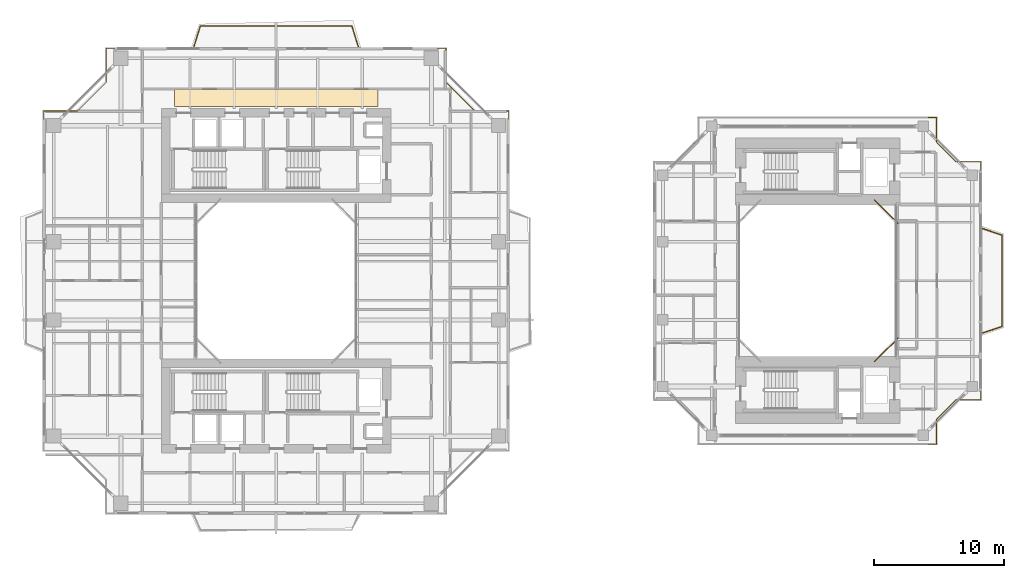
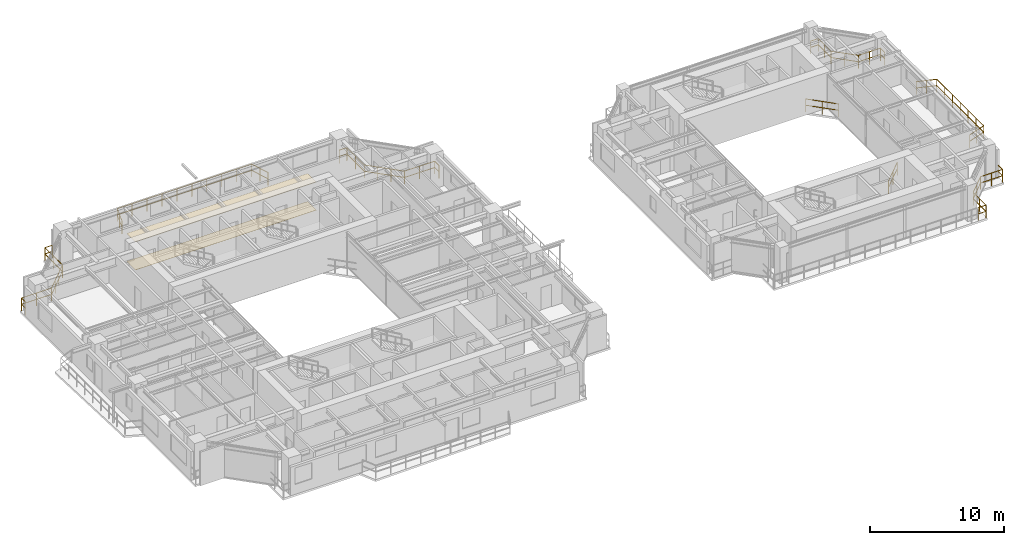
# One storey, part 24 of 24: 8 railings, 2 coverings.
"""IFC4 building model written with IfcOpenShell, lengths in metres."""

from ifc_helpers import new_model, si_unit, direction, frame, origin, origin_2d, place, context, subcontext, project, spatial, polyline, rectangle, outline, extrude, material, layer, layer_set, type_object, element, save


model = new_model("IFC4")

# Units and contexts
model_context = context("Model", 3, precision=1e-05, world=origin(), true_north=direction((0.0, 1.0)))
body_context = subcontext(model_context, "Body", "Model", "MODEL_VIEW")
ifc_project = project(units=[si_unit("LENGTHUNIT", "METRE"), si_unit("AREAUNIT", "SQUARE_METRE"), si_unit("VOLUMEUNIT", "CUBIC_METRE"), si_unit("PLANEANGLEUNIT", "RADIAN"), si_unit("MASSUNIT", "GRAM", prefix="KILO"), si_unit("THERMODYNAMICTEMPERATUREUNIT", "KELVIN"), si_unit("POWERUNIT", "WATT")], contexts=[model_context])

# Site, building, storey
site_placement = place(None, origin())
site = spatial("IfcSite", under=ifc_project, at=site_placement, CompositionType="ELEMENT")
building_placement = place(site_placement, origin())
building = spatial("IfcBuilding", under=site, at=building_placement, Name="Qiaomeng Ring Towers", CompositionType="ELEMENT")
storey_placement = place(building_placement, frame((0.0, 0.0, 106.75)))
storey = spatial("IfcBuildingStorey", under=building, at=storey_placement, Name="L30", CompositionType="ELEMENT", Elevation=106.75)

# Coverings
ifc_material_1 = material(Name="Mineral fibre acoustic ceiling tile", Category="gypsum")
ifc_layer_1 = layer(ifc_material_1, 0.02490234375, Name="Mineral fibre acoustic ceiling tile")
ifc_layer_set_1 = layer_set([ifc_layer_1], Name="Mineral fibre acoustic ceiling tile")
covering_type_1 = type_object("IfcCoveringType", Name="ARC-COV-CEIL1", PredefinedType="CEILING", material=ifc_layer_set_1)
covering_1_placement = place(storey_placement, frame((0.0, 0.0, 2.550048828125)))
element("IfcCovering", 1, at=covering_1_placement, inside=storey, type_object=covering_type_1, Name="L30 Corridor Acoustic Ceiling", PredefinedType="CEILING", context=body_context, shape_type="SweptSolid", body=[
    extrude(outline(polyline([(11.199951171875, 36.35009765625), (11.199951171875, 37.64990234375), (26.800048828125, 37.64990234375), (26.800048828125, 36.35009765625), (11.199951171875, 36.35009765625)])), origin(), (0.0, 0.0, 1.0), 0.02490234375),
])
ifc_material_2 = material(Name="Vitrified porcelain floor tile", Category="ceramic")
ifc_layer_2 = layer(ifc_material_2, 0.02001953125, Name="Vitrified porcelain floor tile")
ifc_layer_set_2 = layer_set([ifc_layer_2], Name="Vitrified porcelain floor tile")
covering_type_2 = type_object("IfcCoveringType", Name="ARC-COV-FLR1", PredefinedType="FLOORING", material=ifc_layer_set_2)
covering_2_placement = place(storey_placement, origin())
element("IfcCovering", 2, at=covering_2_placement, inside=storey, type_object=covering_type_2, Name="L30 Corridor Stone Flooring", PredefinedType="FLOORING", context=body_context, shape_type="SweptSolid", body=[
    extrude(outline(polyline([(11.199951171875, 36.35009765625), (11.199951171875, 37.64990234375), (26.800048828125, 37.64990234375), (26.800048828125, 36.35009765625), (11.199951171875, 36.35009765625)])), origin(), (0.0, 0.0, 1.0), 0.02001953125),
])

# Railings
ifc_material_3 = material(Name="Low-E pale-green laminated safety glass", Category="glass")
railing_type = type_object("IfcRailingType", Name="ARC-RL-BAL1", PredefinedType="BALUSTRADE", material=ifc_material_3)
railing_1_placement = place(storey_placement, frame((36.820068359375, 35.3701171875, 0.0)))
element("IfcRailing", 3, at=railing_1_placement, inside=storey, type_object=railing_type, Name="L30 Balustrade ARC-BAL-NOTCH1-L30-NE", PredefinedType="BALUSTRADE", context=body_context, shape_type="SweptSolid", body=[
    extrude(rectangle(XDim=0.048095703125, YDim=0.048095703125, at=origin_2d()), frame((0.0, 0.0, 1.17578125), z_axis=(0.0, 1.0, 0.0), x_axis=(-1.0, 0.0, 0.0)), (0.0, 0.0, 1.0), 0.64990234375),
    extrude(rectangle(XDim=0.048095703125, YDim=0.048095703125, at=origin_2d()), frame((0.0, 0.0, 0.60009765625), z_axis=(0.0, 1.0, 0.0), x_axis=(-1.0, 0.0, 0.0)), (0.0, 0.0, 1.0), 0.64990234375),
    extrude(rectangle(XDim=0.048095703125, YDim=0.048095703125, at=origin_2d()), frame((0.0, 0.64990234375, 1.17578125), z_axis=(-1.0, 0.0, 0.0), x_axis=(0.0, -1.0, 0.0)), (0.0, 0.0, 1.0), 2.60009765625),
    extrude(rectangle(XDim=0.048095703125, YDim=0.048095703125, at=origin_2d()), frame((0.0, 0.64990234375, 0.60009765625), z_axis=(-1.0, 0.0, 0.0), x_axis=(0.0, -1.0, 0.0)), (0.0, 0.0, 1.0), 2.60009765625),
    extrude(rectangle(XDim=0.048095703125, YDim=0.048095703125, at=origin_2d()), frame((-2.60009765625, 0.64990234375, 1.17578125), z_axis=(-0.707106781187, 0.707106781187, 0.0), x_axis=(-0.707106781187, -0.707106781187, 0.0)), (0.0, 0.0, 1.0), 3.111083984375),
    extrude(rectangle(XDim=0.048095703125, YDim=0.048095703125, at=origin_2d()), frame((-2.60009765625, 0.64990234375, 0.60009765625), z_axis=(-0.707106781187, 0.707106781187, 0.0), x_axis=(-0.707106781187, -0.707106781187, 0.0)), (0.0, 0.0, 1.0), 3.111083984375),
    extrude(rectangle(XDim=0.048095703125, YDim=0.048095703125, at=origin_2d()), frame((-4.800048828125, 2.849853515625, 1.17578125), z_axis=(0.0, 1.0, 0.0), x_axis=(-1.0, 0.0, 0.0)), (0.0, 0.0, 1.0), 2.60009765625),
    extrude(rectangle(XDim=0.048095703125, YDim=0.048095703125, at=origin_2d()), frame((-4.800048828125, 2.849853515625, 0.60009765625), z_axis=(0.0, 1.0, 0.0), x_axis=(-1.0, 0.0, 0.0)), (0.0, 0.0, 1.0), 2.60009765625),
    extrude(rectangle(XDim=0.048095703125, YDim=0.048095703125, at=origin_2d()), frame((-4.800048828125, 5.449951171875, 1.17578125), z_axis=(-1.0, 0.0, 0.0), x_axis=(0.0, -1.0, 0.0)), (0.0, 0.0, 1.0), 0.64990234375),
    extrude(rectangle(XDim=0.048095703125, YDim=0.048095703125, at=origin_2d()), frame((-4.800048828125, 5.449951171875, 0.60009765625), z_axis=(-1.0, 0.0, 0.0), x_axis=(0.0, -1.0, 0.0)), (0.0, 0.0, 1.0), 0.64990234375),
    extrude(rectangle(XDim=0.0419921875, YDim=0.0419921875, at=origin_2d()), origin(), (0.0, 0.0, 1.0), 1.15185546875),
    extrude(rectangle(XDim=0.0419921875, YDim=0.0419921875, at=origin_2d()), frame((0.0, 0.64990234375, 0.0)), (0.0, 0.0, 1.0), 1.15185546875),
    extrude(rectangle(XDim=0.0419921875, YDim=0.0419921875, at=origin_2d()), frame((-1.300048828125, 0.64990234375, 0.0)), (0.0, 0.0, 1.0), 1.15185546875),
    extrude(rectangle(XDim=0.0419921875, YDim=0.0419921875, at=origin_2d()), frame((-2.60009765625, 0.64990234375, 0.0)), (0.0, 0.0, 1.0), 1.15185546875),
    extrude(rectangle(XDim=0.0419921875, YDim=0.0419921875, at=origin_2d()), frame((-3.33349609375, 1.38330078125, 0.0)), (0.0, 0.0, 1.0), 1.15185546875),
    extrude(rectangle(XDim=0.0419921875, YDim=0.0419921875, at=origin_2d()), frame((-4.066650390625, 2.116455078125, 0.0)), (0.0, 0.0, 1.0), 1.15185546875),
    extrude(rectangle(XDim=0.0419921875, YDim=0.0419921875, at=origin_2d()), frame((-4.800048828125, 2.849853515625, 0.0)), (0.0, 0.0, 1.0), 1.15185546875),
    extrude(rectangle(XDim=0.0419921875, YDim=0.0419921875, at=origin_2d()), frame((-4.800048828125, 4.14990234375, 0.0)), (0.0, 0.0, 1.0), 1.15185546875),
    extrude(rectangle(XDim=0.0419921875, YDim=0.0419921875, at=origin_2d()), frame((-4.800048828125, 5.449951171875, 0.0)), (0.0, 0.0, 1.0), 1.15185546875),
    extrude(rectangle(XDim=0.0419921875, YDim=0.0419921875, at=origin_2d()), frame((-5.449951171875, 5.449951171875, 0.0)), (0.0, 0.0, 1.0), 1.15185546875),
])
railing_2_placement = place(storey_placement, frame((6.6298828125, 40.820068359375, 0.0)))
element("IfcRailing", 4, at=railing_2_placement, inside=storey, type_object=railing_type, Name="L30 Balustrade ARC-BAL-NOTCH1-L30-NW", PredefinedType="BALUSTRADE", context=body_context, shape_type="SweptSolid", body=[
    extrude(rectangle(XDim=0.048095703125, YDim=0.048095703125, at=origin_2d()), frame((0.0, 0.0, 1.17578125), z_axis=(-1.0, 0.0, 0.0), x_axis=(0.0, -1.0, 0.0)), (0.0, 0.0, 1.0), 0.64990234375),
    extrude(rectangle(XDim=0.048095703125, YDim=0.048095703125, at=origin_2d()), frame((0.0, 0.0, 0.60009765625), z_axis=(-1.0, 0.0, 0.0), x_axis=(0.0, -1.0, 0.0)), (0.0, 0.0, 1.0), 0.64990234375),
    extrude(rectangle(XDim=0.048095703125, YDim=0.048095703125, at=origin_2d()), frame((-0.64990234375, 0.0, 1.17578125), z_axis=(0.0, -1.0, 0.0), x_axis=(1.0, 0.0, 0.0)), (0.0, 0.0, 1.0), 2.60009765625),
    extrude(rectangle(XDim=0.048095703125, YDim=0.048095703125, at=origin_2d()), frame((-0.64990234375, 0.0, 0.60009765625), z_axis=(0.0, -1.0, 0.0), x_axis=(1.0, 0.0, 0.0)), (0.0, 0.0, 1.0), 2.60009765625),
    extrude(rectangle(XDim=0.048095703125, YDim=0.048095703125, at=origin_2d()), frame((-0.64990234375, -2.60009765625, 1.17578125), z_axis=(-0.707106781187, -0.707106781187, 0.0), x_axis=(0.707106781187, -0.707106781187, 0.0)), (0.0, 0.0, 1.0), 3.111083984375),
    extrude(rectangle(XDim=0.048095703125, YDim=0.048095703125, at=origin_2d()), frame((-0.64990234375, -2.60009765625, 0.60009765625), z_axis=(-0.707106781187, -0.707106781187, 0.0), x_axis=(0.707106781187, -0.707106781187, 0.0)), (0.0, 0.0, 1.0), 3.111083984375),
    extrude(rectangle(XDim=0.048095703125, YDim=0.048095703125, at=origin_2d()), frame((-2.849853515625, -4.800048828125, 1.17578125), z_axis=(-1.0, 0.0, 0.0), x_axis=(0.0, -1.0, 0.0)), (0.0, 0.0, 1.0), 2.60009765625),
    extrude(rectangle(XDim=0.048095703125, YDim=0.048095703125, at=origin_2d()), frame((-2.849853515625, -4.800048828125, 0.60009765625), z_axis=(-1.0, 0.0, 0.0), x_axis=(0.0, -1.0, 0.0)), (0.0, 0.0, 1.0), 2.60009765625),
    extrude(rectangle(XDim=0.048095703125, YDim=0.048095703125, at=origin_2d()), frame((-5.449951171875, -4.800048828125, 1.17578125), z_axis=(0.0, -1.0, 0.0), x_axis=(1.0, 0.0, 0.0)), (0.0, 0.0, 1.0), 0.64990234375),
    extrude(rectangle(XDim=0.048095703125, YDim=0.048095703125, at=origin_2d()), frame((-5.449951171875, -4.800048828125, 0.60009765625), z_axis=(0.0, -1.0, 0.0), x_axis=(1.0, 0.0, 0.0)), (0.0, 0.0, 1.0), 0.64990234375),
    extrude(rectangle(XDim=0.0419921875, YDim=0.0419921875, at=origin_2d()), origin(), (0.0, 0.0, 1.0), 1.15185546875),
    extrude(rectangle(XDim=0.0419921875, YDim=0.0419921875, at=origin_2d()), frame((-0.64990234375, 0.0, 0.0)), (0.0, 0.0, 1.0), 1.15185546875),
    extrude(rectangle(XDim=0.0419921875, YDim=0.0419921875, at=origin_2d()), frame((-0.64990234375, -1.300048828125, 0.0)), (0.0, 0.0, 1.0), 1.15185546875),
    extrude(rectangle(XDim=0.0419921875, YDim=0.0419921875, at=origin_2d()), frame((-0.64990234375, -2.60009765625, 0.0)), (0.0, 0.0, 1.0), 1.15185546875),
    extrude(rectangle(XDim=0.0419921875, YDim=0.0419921875, at=origin_2d()), frame((-1.38330078125, -3.33349609375, 0.0)), (0.0, 0.0, 1.0), 1.15185546875),
    extrude(rectangle(XDim=0.0419921875, YDim=0.0419921875, at=origin_2d()), frame((-2.116455078125, -4.066650390625, 0.0)), (0.0, 0.0, 1.0), 1.15185546875),
    extrude(rectangle(XDim=0.0419921875, YDim=0.0419921875, at=origin_2d()), frame((-2.849853515625, -4.800048828125, 0.0)), (0.0, 0.0, 1.0), 1.15185546875),
    extrude(rectangle(XDim=0.0419921875, YDim=0.0419921875, at=origin_2d()), frame((-4.14990234375, -4.800048828125, 0.0)), (0.0, 0.0, 1.0), 1.15185546875),
    extrude(rectangle(XDim=0.0419921875, YDim=0.0419921875, at=origin_2d()), frame((-5.449951171875, -4.800048828125, 0.0)), (0.0, 0.0, 1.0), 1.15185546875),
    extrude(rectangle(XDim=0.0419921875, YDim=0.0419921875, at=origin_2d()), frame((-5.449951171875, -5.449951171875, 0.0)), (0.0, 0.0, 1.0), 1.15185546875),
])
railing_3_placement = place(storey_placement, frame((12.699951171875, 40.949951171875, 0.0)))
element("IfcRailing", 5, at=railing_3_placement, inside=storey, type_object=railing_type, Name="L30 Balustrade ARC-BAL-L30-T1-N", PredefinedType="BALUSTRADE", context=body_context, shape_type="SweptSolid", body=[
    extrude(rectangle(XDim=0.048095703125, YDim=0.048095703125, at=origin_2d()), frame((0.0, 0.0, 1.17578125), z_axis=(0.299967512283, 0.953949417723, 0.0), x_axis=(-0.953949417723, 0.299967512283, 0.0)), (0.0, 0.0, 1.0), 1.666748046875),
    extrude(rectangle(XDim=0.048095703125, YDim=0.048095703125, at=origin_2d()), frame((0.0, 0.0, 0.60009765625), z_axis=(0.299967512283, 0.953949417723, 0.0), x_axis=(-0.953949417723, 0.299967512283, 0.0)), (0.0, 0.0, 1.0), 1.666748046875),
    extrude(rectangle(XDim=0.048095703125, YDim=0.048095703125, at=origin_2d()), frame((0.5, 1.590087890625, 1.17578125), z_axis=(1.0, 0.0, 0.0), x_axis=(0.0, 1.0, 0.0)), (0.0, 0.0, 1.0), 11.60009765625),
    extrude(rectangle(XDim=0.048095703125, YDim=0.048095703125, at=origin_2d()), frame((0.5, 1.590087890625, 0.60009765625), z_axis=(1.0, 0.0, 0.0), x_axis=(0.0, 1.0, 0.0)), (0.0, 0.0, 1.0), 11.60009765625),
    extrude(rectangle(XDim=0.048095703125, YDim=0.048095703125, at=origin_2d()), frame((12.10009765625, 1.590087890625, 1.17578125), z_axis=(0.299967512283, -0.953949417723, 0.0), x_axis=(0.953949417723, 0.299967512283, 0.0)), (0.0, 0.0, 1.0), 1.666748046875),
    extrude(rectangle(XDim=0.048095703125, YDim=0.048095703125, at=origin_2d()), frame((12.10009765625, 1.590087890625, 0.60009765625), z_axis=(0.299967512283, -0.953949417723, 0.0), x_axis=(0.953949417723, 0.299967512283, 0.0)), (0.0, 0.0, 1.0), 1.666748046875),
    extrude(rectangle(XDim=0.0419921875, YDim=0.0419921875, at=origin_2d()), origin(), (0.0, 0.0, 1.0), 1.15185546875),
    extrude(rectangle(XDim=0.0419921875, YDim=0.0419921875, at=origin_2d()), frame((0.25, 0.794921875, 0.0)), (0.0, 0.0, 1.0), 1.15185546875),
    extrude(rectangle(XDim=0.0419921875, YDim=0.0419921875, at=origin_2d()), frame((0.5, 1.590087890625, 0.0)), (0.0, 0.0, 1.0), 1.15185546875),
    extrude(rectangle(XDim=0.0419921875, YDim=0.0419921875, at=origin_2d()), frame((1.788818359375, 1.590087890625, 0.0)), (0.0, 0.0, 1.0), 1.15185546875),
    extrude(rectangle(XDim=0.0419921875, YDim=0.0419921875, at=origin_2d()), frame((3.077880859375, 1.590087890625, 0.0)), (0.0, 0.0, 1.0), 1.15185546875),
    extrude(rectangle(XDim=0.0419921875, YDim=0.0419921875, at=origin_2d()), frame((4.36669921875, 1.590087890625, 0.0)), (0.0, 0.0, 1.0), 1.15185546875),
    extrude(rectangle(XDim=0.0419921875, YDim=0.0419921875, at=origin_2d()), frame((5.655517578125, 1.590087890625, 0.0)), (0.0, 0.0, 1.0), 1.15185546875),
    extrude(rectangle(XDim=0.0419921875, YDim=0.0419921875, at=origin_2d()), frame((6.944580078125, 1.590087890625, 0.0)), (0.0, 0.0, 1.0), 1.15185546875),
    extrude(rectangle(XDim=0.0419921875, YDim=0.0419921875, at=origin_2d()), frame((8.2333984375, 1.590087890625, 0.0)), (0.0, 0.0, 1.0), 1.15185546875),
    extrude(rectangle(XDim=0.0419921875, YDim=0.0419921875, at=origin_2d()), frame((9.522216796875, 1.590087890625, 0.0)), (0.0, 0.0, 1.0), 1.15185546875),
    extrude(rectangle(XDim=0.0419921875, YDim=0.0419921875, at=origin_2d()), frame((10.811279296875, 1.590087890625, 0.0)), (0.0, 0.0, 1.0), 1.15185546875),
    extrude(rectangle(XDim=0.0419921875, YDim=0.0419921875, at=origin_2d()), frame((12.10009765625, 1.590087890625, 0.0)), (0.0, 0.0, 1.0), 1.15185546875),
    extrude(rectangle(XDim=0.0419921875, YDim=0.0419921875, at=origin_2d()), frame((12.35009765625, 0.794921875, 0.0)), (0.0, 0.0, 1.0), 1.15185546875),
    extrude(rectangle(XDim=0.0419921875, YDim=0.0419921875, at=origin_2d()), frame((12.60009765625, 0.0, 0.0)), (0.0, 0.0, 1.0), 1.15185546875),
])
railing_4_placement = place(storey_placement, frame((64.8798828125, 16.820068359375, 0.0)))
element("IfcRailing", 6, at=railing_4_placement, inside=storey, type_object=railing_type, Name="L30 Balustrade ARC-BAL-WELL2-L30-1", PredefinedType="BALUSTRADE", context=body_context, shape_type="SweptSolid", body=[
    extrude(rectangle(XDim=0.048095703125, YDim=0.048095703125, at=origin_2d()), frame((0.0, 0.0, 1.17578125), z_axis=(0.707106781187, 0.707106781187, 0.0), x_axis=(-0.707106781187, 0.707106781187, 0.0)), (0.0, 0.0, 1.0), 2.545654296875),
    extrude(rectangle(XDim=0.048095703125, YDim=0.048095703125, at=origin_2d()), frame((0.0, 0.0, 0.60009765625), z_axis=(0.707106781187, 0.707106781187, 0.0), x_axis=(-0.707106781187, 0.707106781187, 0.0)), (0.0, 0.0, 1.0), 2.545654296875),
    extrude(rectangle(XDim=0.0419921875, YDim=0.0419921875, at=origin_2d()), origin(), (0.0, 0.0, 1.0), 1.15185546875),
    extrude(rectangle(XDim=0.0419921875, YDim=0.0419921875, at=origin_2d()), frame((0.89990234375, 0.89990234375, 0.0)), (0.0, 0.0, 1.0), 1.15185546875),
    extrude(rectangle(XDim=0.0419921875, YDim=0.0419921875, at=origin_2d()), frame((1.800048828125, 1.800048828125, 0.0)), (0.0, 0.0, 1.0), 1.15185546875),
])
railing_5_placement = place(storey_placement, frame((66.679931640625, 27.3798828125, 0.0)))
element("IfcRailing", 7, at=railing_5_placement, inside=storey, type_object=railing_type, Name="L30 Balustrade ARC-BAL-WELL2-L30-2", PredefinedType="BALUSTRADE", context=body_context, shape_type="SweptSolid", body=[
    extrude(rectangle(XDim=0.048095703125, YDim=0.048095703125, at=origin_2d()), frame((0.0, 0.0, 1.17578125), z_axis=(-0.707106781187, 0.707106781187, 0.0), x_axis=(-0.707106781187, -0.707106781187, 0.0)), (0.0, 0.0, 1.0), 2.545654296875),
    extrude(rectangle(XDim=0.048095703125, YDim=0.048095703125, at=origin_2d()), frame((0.0, 0.0, 0.60009765625), z_axis=(-0.707106781187, 0.707106781187, 0.0), x_axis=(-0.707106781187, -0.707106781187, 0.0)), (0.0, 0.0, 1.0), 2.545654296875),
    extrude(rectangle(XDim=0.0419921875, YDim=0.0419921875, at=origin_2d()), origin(), (0.0, 0.0, 1.0), 1.15185546875),
    extrude(rectangle(XDim=0.0419921875, YDim=0.0419921875, at=origin_2d()), frame((-0.89990234375, 0.89990234375, 0.0)), (0.0, 0.0, 1.0), 1.15185546875),
    extrude(rectangle(XDim=0.0419921875, YDim=0.0419921875, at=origin_2d()), frame((-1.800048828125, 1.800048828125, 0.0)), (0.0, 0.0, 1.0), 1.15185546875),
])
railing_6_placement = place(storey_placement, frame((68.969970703125, 10.47998046875, 0.0)))
element("IfcRailing", 8, at=railing_6_placement, inside=storey, type_object=railing_type, Name="L30 Balustrade ARC-BAL-NOTCH2-L30-SE", PredefinedType="BALUSTRADE", context=body_context, shape_type="SweptSolid", body=[
    extrude(rectangle(XDim=0.048095703125, YDim=0.048095703125, at=origin_2d()), frame((0.0, 0.0, 1.17578125), z_axis=(1.0, 0.0, 0.0), x_axis=(0.0, 1.0, 0.0)), (0.0, 0.0, 1.0), 0.650146484375),
    extrude(rectangle(XDim=0.048095703125, YDim=0.048095703125, at=origin_2d()), frame((0.0, 0.0, 0.60009765625), z_axis=(1.0, 0.0, 0.0), x_axis=(0.0, 1.0, 0.0)), (0.0, 0.0, 1.0), 0.650146484375),
    extrude(rectangle(XDim=0.048095703125, YDim=0.048095703125, at=origin_2d()), frame((0.650146484375, 0.0, 1.17578125), z_axis=(0.0, 1.0, 0.0), x_axis=(-1.0, 0.0, 0.0)), (0.0, 0.0, 1.0), 1.89990234375),
    extrude(rectangle(XDim=0.048095703125, YDim=0.048095703125, at=origin_2d()), frame((0.650146484375, 0.0, 0.60009765625), z_axis=(0.0, 1.0, 0.0), x_axis=(-1.0, 0.0, 0.0)), (0.0, 0.0, 1.0), 1.89990234375),
    extrude(rectangle(XDim=0.048095703125, YDim=0.048095703125, at=origin_2d()), frame((0.650146484375, 1.89990234375, 1.17578125), z_axis=(0.707106781187, 0.707106781187, 0.0), x_axis=(-0.707106781187, 0.707106781187, 0.0)), (0.0, 0.0, 1.0), 2.121337890625),
    extrude(rectangle(XDim=0.048095703125, YDim=0.048095703125, at=origin_2d()), frame((0.650146484375, 1.89990234375, 0.60009765625), z_axis=(0.707106781187, 0.707106781187, 0.0), x_axis=(-0.707106781187, 0.707106781187, 0.0)), (0.0, 0.0, 1.0), 2.121337890625),
    extrude(rectangle(XDim=0.048095703125, YDim=0.048095703125, at=origin_2d()), frame((2.150146484375, 3.39990234375, 1.17578125), z_axis=(1.0, 0.0, 0.0), x_axis=(0.0, 1.0, 0.0)), (0.0, 0.0, 1.0), 1.89990234375),
    extrude(rectangle(XDim=0.048095703125, YDim=0.048095703125, at=origin_2d()), frame((2.150146484375, 3.39990234375, 0.60009765625), z_axis=(1.0, 0.0, 0.0), x_axis=(0.0, 1.0, 0.0)), (0.0, 0.0, 1.0), 1.89990234375),
    extrude(rectangle(XDim=0.048095703125, YDim=0.048095703125, at=origin_2d()), frame((4.050048828125, 3.39990234375, 1.17578125), z_axis=(0.0, 1.0, 0.0), x_axis=(-1.0, 0.0, 0.0)), (0.0, 0.0, 1.0), 0.650146484375),
    extrude(rectangle(XDim=0.048095703125, YDim=0.048095703125, at=origin_2d()), frame((4.050048828125, 3.39990234375, 0.60009765625), z_axis=(0.0, 1.0, 0.0), x_axis=(-1.0, 0.0, 0.0)), (0.0, 0.0, 1.0), 0.650146484375),
    extrude(rectangle(XDim=0.0419921875, YDim=0.0419921875, at=origin_2d()), origin(), (0.0, 0.0, 1.0), 1.15185546875),
    extrude(rectangle(XDim=0.0419921875, YDim=0.0419921875, at=origin_2d()), frame((0.650146484375, 0.0, 0.0)), (0.0, 0.0, 1.0), 1.15185546875),
    extrude(rectangle(XDim=0.0419921875, YDim=0.0419921875, at=origin_2d()), frame((0.650146484375, 0.949951171875, 0.0)), (0.0, 0.0, 1.0), 1.15185546875),
    extrude(rectangle(XDim=0.0419921875, YDim=0.0419921875, at=origin_2d()), frame((0.650146484375, 1.89990234375, 0.0)), (0.0, 0.0, 1.0), 1.15185546875),
    extrude(rectangle(XDim=0.0419921875, YDim=0.0419921875, at=origin_2d()), frame((1.400146484375, 2.64990234375, 0.0)), (0.0, 0.0, 1.0), 1.15185546875),
    extrude(rectangle(XDim=0.0419921875, YDim=0.0419921875, at=origin_2d()), frame((2.150146484375, 3.39990234375, 0.0)), (0.0, 0.0, 1.0), 1.15185546875),
    extrude(rectangle(XDim=0.0419921875, YDim=0.0419921875, at=origin_2d()), frame((3.10009765625, 3.39990234375, 0.0)), (0.0, 0.0, 1.0), 1.15185546875),
    extrude(rectangle(XDim=0.0419921875, YDim=0.0419921875, at=origin_2d()), frame((4.050048828125, 3.39990234375, 0.0)), (0.0, 0.0, 1.0), 1.15185546875),
    extrude(rectangle(XDim=0.0419921875, YDim=0.0419921875, at=origin_2d()), frame((4.050048828125, 4.050048828125, 0.0)), (0.0, 0.0, 1.0), 1.15185546875),
])
railing_7_placement = place(storey_placement, frame((73.02001953125, 31.469970703125, 0.0)))
element("IfcRailing", 9, at=railing_7_placement, inside=storey, type_object=railing_type, Name="L30 Balustrade ARC-BAL-NOTCH2-L30-NE", PredefinedType="BALUSTRADE", context=body_context, shape_type="SweptSolid", body=[
    extrude(rectangle(XDim=0.048095703125, YDim=0.048095703125, at=origin_2d()), frame((0.0, 0.0, 1.17578125), z_axis=(0.0, 1.0, 0.0), x_axis=(-1.0, 0.0, 0.0)), (0.0, 0.0, 1.0), 0.650146484375),
    extrude(rectangle(XDim=0.048095703125, YDim=0.048095703125, at=origin_2d()), frame((0.0, 0.0, 0.60009765625), z_axis=(0.0, 1.0, 0.0), x_axis=(-1.0, 0.0, 0.0)), (0.0, 0.0, 1.0), 0.650146484375),
    extrude(rectangle(XDim=0.048095703125, YDim=0.048095703125, at=origin_2d()), frame((0.0, 0.650146484375, 1.17578125), z_axis=(-1.0, 0.0, 0.0), x_axis=(0.0, -1.0, 0.0)), (0.0, 0.0, 1.0), 1.89990234375),
    extrude(rectangle(XDim=0.048095703125, YDim=0.048095703125, at=origin_2d()), frame((0.0, 0.650146484375, 0.60009765625), z_axis=(-1.0, 0.0, 0.0), x_axis=(0.0, -1.0, 0.0)), (0.0, 0.0, 1.0), 1.89990234375),
    extrude(rectangle(XDim=0.048095703125, YDim=0.048095703125, at=origin_2d()), frame((-1.89990234375, 0.650146484375, 1.17578125), z_axis=(-0.707106781187, 0.707106781187, 0.0), x_axis=(-0.707106781187, -0.707106781187, 0.0)), (0.0, 0.0, 1.0), 2.121337890625),
    extrude(rectangle(XDim=0.048095703125, YDim=0.048095703125, at=origin_2d()), frame((-1.89990234375, 0.650146484375, 0.60009765625), z_axis=(-0.707106781187, 0.707106781187, 0.0), x_axis=(-0.707106781187, -0.707106781187, 0.0)), (0.0, 0.0, 1.0), 2.121337890625),
    extrude(rectangle(XDim=0.048095703125, YDim=0.048095703125, at=origin_2d()), frame((-3.39990234375, 2.150146484375, 1.17578125), z_axis=(0.0, 1.0, 0.0), x_axis=(-1.0, 0.0, 0.0)), (0.0, 0.0, 1.0), 1.89990234375),
    extrude(rectangle(XDim=0.048095703125, YDim=0.048095703125, at=origin_2d()), frame((-3.39990234375, 2.150146484375, 0.60009765625), z_axis=(0.0, 1.0, 0.0), x_axis=(-1.0, 0.0, 0.0)), (0.0, 0.0, 1.0), 1.89990234375),
    extrude(rectangle(XDim=0.048095703125, YDim=0.048095703125, at=origin_2d()), frame((-3.39990234375, 4.050048828125, 1.17578125), z_axis=(-1.0, 0.0, 0.0), x_axis=(0.0, -1.0, 0.0)), (0.0, 0.0, 1.0), 0.650146484375),
    extrude(rectangle(XDim=0.048095703125, YDim=0.048095703125, at=origin_2d()), frame((-3.39990234375, 4.050048828125, 0.60009765625), z_axis=(-1.0, 0.0, 0.0), x_axis=(0.0, -1.0, 0.0)), (0.0, 0.0, 1.0), 0.650146484375),
    extrude(rectangle(XDim=0.0419921875, YDim=0.0419921875, at=origin_2d()), origin(), (0.0, 0.0, 1.0), 1.15185546875),
    extrude(rectangle(XDim=0.0419921875, YDim=0.0419921875, at=origin_2d()), frame((0.0, 0.650146484375, 0.0)), (0.0, 0.0, 1.0), 1.15185546875),
    extrude(rectangle(XDim=0.0419921875, YDim=0.0419921875, at=origin_2d()), frame((-0.949951171875, 0.650146484375, 0.0)), (0.0, 0.0, 1.0), 1.15185546875),
    extrude(rectangle(XDim=0.0419921875, YDim=0.0419921875, at=origin_2d()), frame((-1.89990234375, 0.650146484375, 0.0)), (0.0, 0.0, 1.0), 1.15185546875),
    extrude(rectangle(XDim=0.0419921875, YDim=0.0419921875, at=origin_2d()), frame((-2.64990234375, 1.400146484375, 0.0)), (0.0, 0.0, 1.0), 1.15185546875),
    extrude(rectangle(XDim=0.0419921875, YDim=0.0419921875, at=origin_2d()), frame((-3.39990234375, 2.150146484375, 0.0)), (0.0, 0.0, 1.0), 1.15185546875),
    extrude(rectangle(XDim=0.0419921875, YDim=0.0419921875, at=origin_2d()), frame((-3.39990234375, 3.10009765625, 0.0)), (0.0, 0.0, 1.0), 1.15185546875),
    extrude(rectangle(XDim=0.0419921875, YDim=0.0419921875, at=origin_2d()), frame((-3.39990234375, 4.050048828125, 0.0)), (0.0, 0.0, 1.0), 1.15185546875),
    extrude(rectangle(XDim=0.0419921875, YDim=0.0419921875, at=origin_2d()), frame((-4.050048828125, 4.050048828125, 0.0)), (0.0, 0.0, 1.0), 1.15185546875),
])
railing_8_placement = place(storey_placement, frame((73.14990234375, 19.0, 0.0)))
element("IfcRailing", 10, at=railing_8_placement, inside=storey, type_object=railing_type, Name="L30 Balustrade ARC-BAL-L30-T2-E", PredefinedType="BALUSTRADE", context=body_context, shape_type="SweptSolid", body=[
    extrude(rectangle(XDim=0.048095703125, YDim=0.048095703125, at=origin_2d()), frame((0.0, 0.0, 1.17578125), z_axis=(0.948044476945, 0.318137815629, 0.0), x_axis=(-0.318137815629, 0.948044476945, 0.0)), (0.0, 0.0, 1.0), 1.571533203125),
    extrude(rectangle(XDim=0.048095703125, YDim=0.048095703125, at=origin_2d()), frame((0.0, 0.0, 0.60009765625), z_axis=(0.948044476945, 0.318137815629, 0.0), x_axis=(-0.318137815629, 0.948044476945, 0.0)), (0.0, 0.0, 1.0), 1.571533203125),
    extrude(rectangle(XDim=0.048095703125, YDim=0.048095703125, at=origin_2d()), frame((1.489990234375, 0.5, 1.17578125), z_axis=(0.0, 1.0, 0.0), x_axis=(-1.0, 0.0, 0.0)), (0.0, 0.0, 1.0), 7.0),
    extrude(rectangle(XDim=0.048095703125, YDim=0.048095703125, at=origin_2d()), frame((1.489990234375, 0.5, 0.60009765625), z_axis=(0.0, 1.0, 0.0), x_axis=(-1.0, 0.0, 0.0)), (0.0, 0.0, 1.0), 7.0),
    extrude(rectangle(XDim=0.048095703125, YDim=0.048095703125, at=origin_2d()), frame((1.489990234375, 7.5, 1.17578125), z_axis=(-0.948044476945, 0.318137815629, 0.0), x_axis=(-0.318137815629, -0.948044476945, 0.0)), (0.0, 0.0, 1.0), 1.571533203125),
    extrude(rectangle(XDim=0.048095703125, YDim=0.048095703125, at=origin_2d()), frame((1.489990234375, 7.5, 0.60009765625), z_axis=(-0.948044476945, 0.318137815629, 0.0), x_axis=(-0.318137815629, -0.948044476945, 0.0)), (0.0, 0.0, 1.0), 1.571533203125),
    extrude(rectangle(XDim=0.0419921875, YDim=0.0419921875, at=origin_2d()), origin(), (0.0, 0.0, 1.0), 1.15185546875),
    extrude(rectangle(XDim=0.0419921875, YDim=0.0419921875, at=origin_2d()), frame((0.7451171875, 0.25, 0.0)), (0.0, 0.0, 1.0), 1.15185546875),
    extrude(rectangle(XDim=0.0419921875, YDim=0.0419921875, at=origin_2d()), frame((1.489990234375, 0.5, 0.0)), (0.0, 0.0, 1.0), 1.15185546875),
    extrude(rectangle(XDim=0.0419921875, YDim=0.0419921875, at=origin_2d()), frame((1.489990234375, 1.666748046875, 0.0)), (0.0, 0.0, 1.0), 1.15185546875),
    extrude(rectangle(XDim=0.0419921875, YDim=0.0419921875, at=origin_2d()), frame((1.489990234375, 2.833251953125, 0.0)), (0.0, 0.0, 1.0), 1.15185546875),
    extrude(rectangle(XDim=0.0419921875, YDim=0.0419921875, at=origin_2d()), frame((1.489990234375, 4.0, 0.0)), (0.0, 0.0, 1.0), 1.15185546875),
    extrude(rectangle(XDim=0.0419921875, YDim=0.0419921875, at=origin_2d()), frame((1.489990234375, 5.166748046875, 0.0)), (0.0, 0.0, 1.0), 1.15185546875),
    extrude(rectangle(XDim=0.0419921875, YDim=0.0419921875, at=origin_2d()), frame((1.489990234375, 6.333251953125, 0.0)), (0.0, 0.0, 1.0), 1.15185546875),
    extrude(rectangle(XDim=0.0419921875, YDim=0.0419921875, at=origin_2d()), frame((1.489990234375, 7.5, 0.0)), (0.0, 0.0, 1.0), 1.15185546875),
    extrude(rectangle(XDim=0.0419921875, YDim=0.0419921875, at=origin_2d()), frame((0.7451171875, 7.75, 0.0)), (0.0, 0.0, 1.0), 1.15185546875),
    extrude(rectangle(XDim=0.0419921875, YDim=0.0419921875, at=origin_2d()), frame((0.0, 8.0, 0.0)), (0.0, 0.0, 1.0), 1.15185546875),
])

save(model, "model.ifc")
